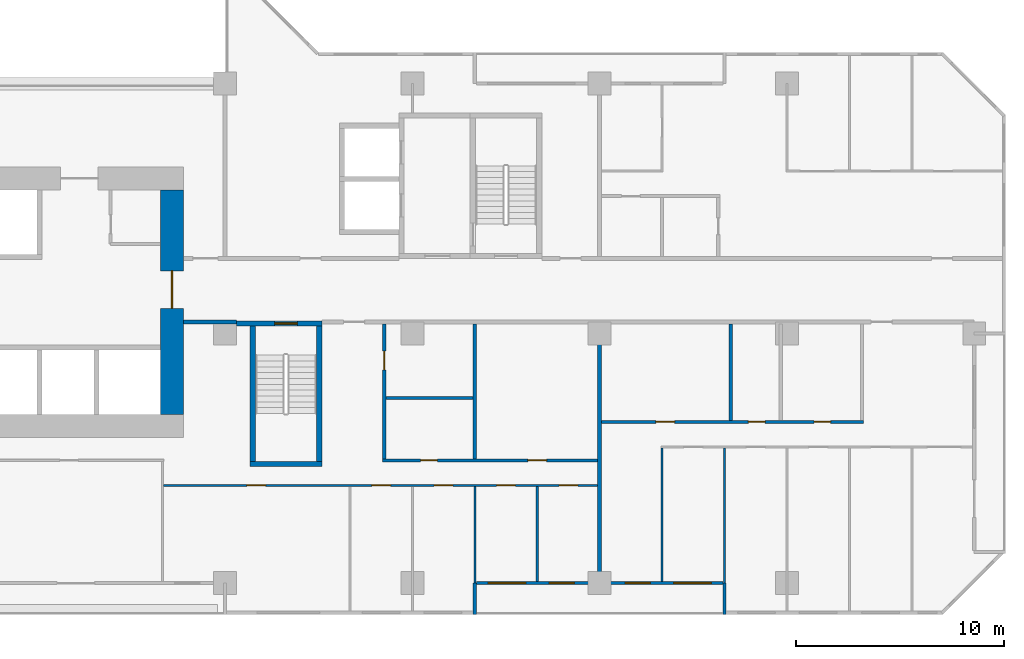
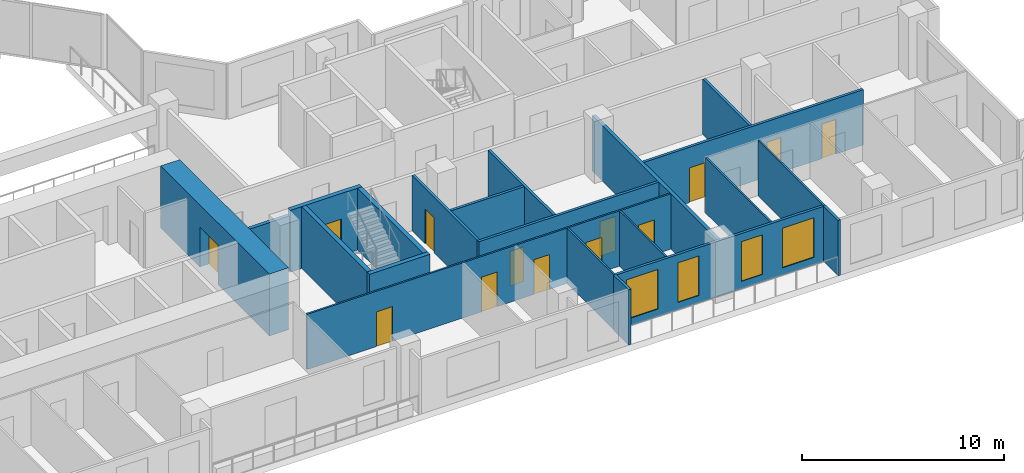
# One storey, part 6 of 15: 21 walls, 13 doors, 4 windows, 17 openings.
"""IFC4 building model written with IfcOpenShell, lengths in metres."""

from ifc_helpers import new_model, si_unit, direction, frame, frame_2d, origin, place, context, subcontext, project, spatial, rectangle, extrude, material, layer, layer_set, type_object, element, fill, save


model = new_model("IFC4")

# Units and contexts
model_context = context("Model", 3, precision=1e-05, world=origin(), true_north=direction((0.0, 1.0)))
body_context = subcontext(model_context, "Body", "Model", "MODEL_VIEW")
ifc_project = project(units=[si_unit("LENGTHUNIT", "METRE"), si_unit("AREAUNIT", "SQUARE_METRE"), si_unit("VOLUMEUNIT", "CUBIC_METRE"), si_unit("PLANEANGLEUNIT", "RADIAN"), si_unit("MASSUNIT", "GRAM", prefix="KILO")], contexts=[model_context])

# Site, building, storey
site_placement = place(None, origin())
site = spatial("IfcSite", under=ifc_project, at=site_placement, CompositionType="ELEMENT")
building_placement = place(site_placement, origin())
building = spatial("IfcBuilding", under=site, at=building_placement, Name="Chenar Terraces", CompositionType="ELEMENT")
storey_placement = place(building_placement, frame((0.0, 0.0, 67.64990234375)))
storey = spatial("IfcBuildingStorey", under=building, at=storey_placement, Name="L14", CompositionType="ELEMENT", Elevation=67.64990234375)

# Wall, opening, door
ifc_material_1 = material(Name="Concrete C70/85", Category="concrete")
ifc_layer_1 = layer(ifc_material_1, 1.10009765625)
ifc_layer_set_1 = layer_set([ifc_layer_1], Name="Concrete C70/85")
wall_type_1 = type_object("IfcWallType", Name="Core wall 1100 Concrete C70/85", PredefinedType="SHEAR", material=ifc_layer_set_1)
wall_1_placement = place(storey_placement, frame((33.449951171875, 8.10009765625, 0.0), z_axis=(0.0, 0.0, 1.0), x_axis=(0.0, 1.0, 0.0)))
wall_1 = element("IfcWall", 1, at=wall_1_placement, inside=storey, type_object=wall_type_1, Name="Core wall E L14", PredefinedType="SHEAR", context=body_context, shape_type="SweptSolid", body=[
    extrude(rectangle(XDim=10.7998046875, YDim=1.10009765625, at=frame_2d((5.39990234375, 0.0))), origin(), (0.0, 0.0, 1.0), 3.75),
])
opening_1_placement = place(wall_1_placement, frame((5.10009765625, 0.0, 0.0)))
opening_1 = element("IfcOpeningElement", 2, at=opening_1_placement, cuts=wall_1, Name="Opening DL14-C1", PredefinedType="OPENING", context=body_context, shape_type="SweptSolid", body=[
    extrude(rectangle(XDim=1.800048828125, YDim=2.39990234375, at=frame_2d((0.89990234375, 1.199951171875))), frame((0.0, 0.56005859375, 0.0), z_axis=(0.0, -1.0, 0.0), x_axis=(1.0, 0.0, 0.0)), (0.0, 0.0, 1.0), 1.1201171875),
])
ifc_material_2 = material(Name="Steel-framed fire-resisting door leaf", Category="steel")
door_type_1 = type_object("IfcDoorType", Name="Core entrance double fire door FD60 1800 x 2400", OperationType="DOUBLE_DOOR_SINGLE_SWING", PredefinedType="DOOR", material=ifc_material_2)
door_1_placement = place(opening_1_placement, origin())
door_1 = element("IfcDoor", 3, at=door_1_placement, inside=storey, type_object=door_type_1, Name="Core door DL14-C1", OperationType="DOUBLE_DOOR_SINGLE_SWING", OverallHeight=2.39990234375, OverallWidth=1.800048828125, PredefinedType="DOOR", context=body_context, shape_type="SweptSolid", body=[
    extrude(rectangle(XDim=1.800048828125, YDim=2.39990234375, at=frame_2d((0.89990234375, 1.199951171875))), frame((0.0, 0.02490234375, 0.0), z_axis=(0.0, -1.0, 0.0), x_axis=(1.0, 0.0, 0.0)), (0.0, 0.0, 1.0), 0.050048828125),
])
fill(opening_1, door_1)

# Wall
ifc_material_3 = material(Name="Concrete C70/85", Category="concrete")
ifc_layer_2 = layer(ifc_material_3, 0.25)
ifc_layer_set_2 = layer_set([ifc_layer_2], Name="Concrete C70/85")
wall_type_2 = type_object("IfcWallType", Name="Core wall 250 Concrete C70/85", PredefinedType="SHEAR", material=ifc_layer_set_2)
wall_2_placement = place(storey_placement, frame((37.199951171875, 5.72509765625, 0.0), z_axis=(0.0, 0.0, 1.0), x_axis=(1.0, 0.0, 0.0)))
element("IfcWall", 4, at=wall_2_placement, inside=storey, type_object=wall_type_2, Name="Core wall ST2_S L14", PredefinedType="SHEAR", context=body_context, shape_type="SweptSolid", body=[
    extrude(rectangle(XDim=3.449951171875, YDim=0.25, at=frame_2d((1.72509765625, 0.0))), origin(), (0.0, 0.0, 1.0), 3.75),
])

# Wall, opening, door
wall_3_placement = place(storey_placement, frame((36.550048828125, 12.47509765625, 0.0), z_axis=(0.0, 0.0, 1.0), x_axis=(1.0, 0.0, 0.0)))
wall_3 = element("IfcWall", 5, at=wall_3_placement, inside=storey, type_object=wall_type_2, Name="Core wall ST2_N L14", PredefinedType="SHEAR", context=body_context, shape_type="SweptSolid", body=[
    extrude(rectangle(XDim=4.099853515625, YDim=0.25, at=frame_2d((2.0498046875, 0.0))), origin(), (0.0, 0.0, 1.0), 3.75),
])
opening_2_placement = place(wall_3_placement, frame((1.824951171875, 0.0, 0.0)))
opening_2 = element("IfcOpeningElement", 6, at=opening_2_placement, cuts=wall_3, Name="Opening DL14-C7", PredefinedType="OPENING", context=body_context, shape_type="SweptSolid", body=[
    extrude(rectangle(XDim=1.10009765625, YDim=2.199951171875, at=frame_2d((0.550048828125, 1.10009765625))), frame((0.0, 0.135009765625, 0.0), z_axis=(0.0, -1.0, 0.0), x_axis=(1.0, 0.0, 0.0)), (0.0, 0.0, 1.0), 0.27001953125),
])
ifc_material_4 = material(Name="Steel-framed fire-resisting door leaf", Category="steel")
door_type_2 = type_object("IfcDoorType", Name="Stair fire door FD60 1100 x 2200", OperationType="SINGLE_SWING_LEFT", PredefinedType="DOOR", material=ifc_material_4)
door_2_placement = place(opening_2_placement, frame((1.10009765625, 0.0, 0.0), z_axis=(0.0, 0.0, 1.0), x_axis=(-1.0, 0.0, 0.0)))
door_2 = element("IfcDoor", 7, at=door_2_placement, inside=storey, type_object=door_type_2, Name="Stair door DL14-C7", OperationType="SINGLE_SWING_LEFT", OverallHeight=2.199951171875, OverallWidth=1.10009765625, PredefinedType="DOOR", context=body_context, shape_type="SweptSolid", body=[
    extrude(rectangle(XDim=1.10009765625, YDim=2.199951171875, at=frame_2d((0.550048828125, 1.10009765625))), frame((0.0, 0.02490234375, 0.0), z_axis=(0.0, -1.0, 0.0), x_axis=(1.0, 0.0, 0.0)), (0.0, 0.0, 1.0), 0.050048828125),
])
fill(opening_2, door_2)

# Walls
for number, where, z_axis, x_axis, name in (
    (8, (37.324951171875, 5.85009765625, 0.0), (0.0, 0.0, 1.0), (0.0, 1.0, 0.0), "Core wall ST2_W L14"),
    (9, (40.52490234375, 5.85009765625, 0.0), (0.0, 0.0, 1.0), (0.0, 1.0, 0.0), "Core wall ST2_E L14"),
):
    element("IfcWall", number, at=place(storey_placement, frame(where, z_axis=z_axis, x_axis=x_axis)), inside=storey, type_object=wall_type_2, Name=name, PredefinedType="SHEAR", context=body_context, shape_type="SweptSolid", body=[
        extrude(rectangle(XDim=6.5, YDim=0.25, at=frame_2d((3.25, 0.0))), origin(), (0.0, 0.0, 1.0), 3.75),
    ])
ifc_material_5 = material(Name="Gypsum board on steel studs with fire boards", Category="steel")
ifc_layer_3 = layer(ifc_material_5, 0.199951171875)
ifc_layer_set_3 = layer_set([ifc_layer_3], Name="Gypsum board on steel studs with fire boards")
wall_type_3 = type_object("IfcWallType", Name="Corridor wall 200", PredefinedType="PARTITIONING", material=ifc_layer_set_3)
wall_4_placement = place(storey_placement, frame((34.0, 12.550048828125, 0.0), z_axis=(0.0, 0.0, 1.0), x_axis=(1.0, 0.0, 0.0)))
element("IfcWall", 10, at=wall_4_placement, inside=storey, type_object=wall_type_3, Name="Partition L14-057", PredefinedType="PARTITIONING", context=body_context, shape_type="SweptSolid", body=[
    extrude(rectangle(XDim=2.551025390625, YDim=0.199951171875, at=frame_2d((1.275390625, 0.0))), origin(), (0.0, 0.0, 1.0), 3.35009765625),
])

# Wall, openings, windows
ifc_material_6 = material(Name="Aluminium framed glazing", Category="aluminium")
ifc_layer_4 = layer(ifc_material_6, 0.14990234375)
ifc_layer_set_4 = layer_set([ifc_layer_4], Name="Aluminium framed glazing")
wall_type_4 = type_object("IfcWallType", Name="Glazed loggia back wall 150", PredefinedType="SOLIDWALL", material=ifc_layer_set_4)
wall_5_placement = place(storey_placement, frame((48.074951171875, 0.0, 0.0), z_axis=(0.0, 0.0, 1.0), x_axis=(1.0, 0.0, 0.0)))
wall_5 = element("IfcWall", 11, at=wall_5_placement, inside=storey, type_object=wall_type_4, Name="Glazed loggia back wall", PredefinedType="SOLIDWALL", context=body_context, shape_type="SweptSolid", body=[
    extrude(rectangle(XDim=11.85009765625, YDim=0.14990234375, at=frame_2d((5.925048828125, 0.0))), origin(), (0.0, 0.0, 1.0), 3.35009765625),
])
opening_3_placement = place(wall_5_placement, frame((0.5625, 0.0, 0.449951171875)))
opening_3 = element("IfcOpeningElement", 12, at=opening_3_placement, cuts=wall_5, Name="Opening W180x240", PredefinedType="OPENING", context=body_context, shape_type="SweptSolid", body=[
    extrude(rectangle(XDim=1.800048828125, YDim=2.39990234375, at=frame_2d((0.89990234375, 1.199951171875))), frame((0.0, 0.0849609375, 0.0), z_axis=(0.0, -1.0, 0.0), x_axis=(1.0, 0.0, 0.0)), (0.0, 0.0, 1.0), 0.169921875),
])
opening_4_placement = place(wall_5_placement, frame((3.5, 0.0, 0.449951171875)))
opening_4 = element("IfcOpeningElement", 13, at=opening_4_placement, cuts=wall_5, Name="Opening W120x240", PredefinedType="OPENING", context=body_context, shape_type="SweptSolid", body=[
    extrude(rectangle(XDim=1.199951171875, YDim=2.39990234375, at=frame_2d((0.60009765625, 1.199951171875))), frame((0.0, 0.0849609375, 0.0), z_axis=(0.0, -1.0, 0.0), x_axis=(1.0, 0.0, 0.0)), (0.0, 0.0, 1.0), 0.169921875),
])
opening_5_placement = place(wall_5_placement, frame((7.14990234375, 0.0, 0.449951171875)))
opening_5 = element("IfcOpeningElement", 14, at=opening_5_placement, cuts=wall_5, Name="Opening W120x240", PredefinedType="OPENING", context=body_context, shape_type="SweptSolid", body=[
    extrude(rectangle(XDim=1.199951171875, YDim=2.39990234375, at=frame_2d((0.60009765625, 1.199951171875))), frame((0.0, 0.0849609375, 0.0), z_axis=(0.0, -1.0, 0.0), x_axis=(1.0, 0.0, 0.0)), (0.0, 0.0, 1.0), 0.169921875),
])
opening_6_placement = place(wall_5_placement, frame((9.487548828125, 0.0, 0.449951171875)))
opening_6 = element("IfcOpeningElement", 15, at=opening_6_placement, cuts=wall_5, Name="Opening W180x240", PredefinedType="OPENING", context=body_context, shape_type="SweptSolid", body=[
    extrude(rectangle(XDim=1.800048828125, YDim=2.39990234375, at=frame_2d((0.89990234375, 1.199951171875))), frame((0.0, 0.0849609375, 0.0), z_axis=(0.0, -1.0, 0.0), x_axis=(1.0, 0.0, 0.0)), (0.0, 0.0, 1.0), 0.169921875),
])
ifc_material_7 = material(Name="Low emissivity double glazing, aluminium frame", Category="aluminium")
window_type_1 = type_object("IfcWindowType", Name="Fixed light 1200 x 2400", PartitioningType="SINGLE_PANEL", PredefinedType="WINDOW", material=ifc_material_7)
window_1_placement = place(opening_4_placement, origin())
window_1 = element("IfcWindow", 16, at=window_1_placement, inside=storey, type_object=window_type_1, Name="Window", OverallHeight=2.39990234375, OverallWidth=1.199951171875, PartitioningType="SINGLE_PANEL", PredefinedType="WINDOW", context=body_context, shape_type="SweptSolid", body=[
    extrude(rectangle(XDim=1.199951171875, YDim=2.39990234375, at=frame_2d((0.60009765625, 1.199951171875))), frame((0.0, 0.030029296875, 0.0), z_axis=(0.0, -1.0, 0.0), x_axis=(1.0, 0.0, 0.0)), (0.0, 0.0, 1.0), 0.06005859375),
])
fill(opening_4, window_1)
window_2_placement = place(opening_5_placement, origin())
window_2 = element("IfcWindow", 17, at=window_2_placement, inside=storey, type_object=window_type_1, Name="Window", OverallHeight=2.39990234375, OverallWidth=1.199951171875, PartitioningType="SINGLE_PANEL", PredefinedType="WINDOW", context=body_context, shape_type="SweptSolid", body=[
    extrude(rectangle(XDim=1.199951171875, YDim=2.39990234375, at=frame_2d((0.60009765625, 1.199951171875))), frame((0.0, 0.030029296875, 0.0), z_axis=(0.0, -1.0, 0.0), x_axis=(1.0, 0.0, 0.0)), (0.0, 0.0, 1.0), 0.06005859375),
])
fill(opening_5, window_2)
ifc_material_8 = material(Name="Low emissivity double glazing, aluminium frame", Category="aluminium")
window_type_2 = type_object("IfcWindowType", Name="Fixed light 1800 x 2400", PartitioningType="SINGLE_PANEL", PredefinedType="WINDOW", material=ifc_material_8)
window_3_placement = place(opening_3_placement, origin())
window_3 = element("IfcWindow", 18, at=window_3_placement, inside=storey, type_object=window_type_2, Name="Window", OverallHeight=2.39990234375, OverallWidth=1.800048828125, PartitioningType="SINGLE_PANEL", PredefinedType="WINDOW", context=body_context, shape_type="SweptSolid", body=[
    extrude(rectangle(XDim=1.800048828125, YDim=2.39990234375, at=frame_2d((0.89990234375, 1.199951171875))), frame((0.0, 0.030029296875, 0.0), z_axis=(0.0, -1.0, 0.0), x_axis=(1.0, 0.0, 0.0)), (0.0, 0.0, 1.0), 0.06005859375),
])
fill(opening_3, window_3)
window_4_placement = place(opening_6_placement, origin())
window_4 = element("IfcWindow", 19, at=window_4_placement, inside=storey, type_object=window_type_2, Name="Window", OverallHeight=2.39990234375, OverallWidth=1.800048828125, PartitioningType="SINGLE_PANEL", PredefinedType="WINDOW", context=body_context, shape_type="SweptSolid", body=[
    extrude(rectangle(XDim=1.800048828125, YDim=2.39990234375, at=frame_2d((0.89990234375, 1.199951171875))), frame((0.0, 0.030029296875, 0.0), z_axis=(0.0, -1.0, 0.0), x_axis=(1.0, 0.0, 0.0)), (0.0, 0.0, 1.0), 0.06005859375),
])
fill(opening_6, window_4)

# Wall, openings, doors
ifc_material_9 = material(Name="Gypsum board on steel studs", Category="steel")
ifc_layer_5 = layer(ifc_material_9, 0.10009765625)
ifc_layer_set_5 = layer_set([ifc_layer_5], Name="Gypsum board on steel studs")
wall_type_5 = type_object("IfcWallType", Name="Gypsum partition 100", PredefinedType="PARTITIONING", material=ifc_layer_set_5)
wall_6_placement = place(storey_placement, frame((33.050048828125, 4.699951171875, 0.0), z_axis=(0.0, 0.0, 1.0), x_axis=(1.0, 0.0, 0.0)))
wall_6 = element("IfcWall", 20, at=wall_6_placement, inside=storey, type_object=wall_type_5, Name="Partition L14-056", PredefinedType="PARTITIONING", context=body_context, shape_type="SweptSolid", body=[
    extrude(rectangle(XDim=20.849853515625, YDim=0.10009765625, at=frame_2d((10.4248046875, 0.0))), origin(), (0.0, 0.0, 1.0), 3.35009765625),
])
opening_7_placement = place(wall_6_placement, frame((10.0, 0.0, 0.0)))
opening_7 = element("IfcOpeningElement", 21, at=opening_7_placement, cuts=wall_6, Name="Opening DL14-53", PredefinedType="OPENING", context=body_context, shape_type="SweptSolid", body=[
    extrude(rectangle(XDim=0.89990234375, YDim=2.10009765625, at=frame_2d((0.449951171875, 1.050048828125))), frame((0.0, 0.06005859375, 0.0), z_axis=(0.0, -1.0, 0.0), x_axis=(1.0, 0.0, 0.0)), (0.0, 0.0, 1.0), 0.1201171875),
])
opening_8_placement = place(wall_6_placement, frame((13.0, 0.0, 0.0)))
opening_8 = element("IfcOpeningElement", 22, at=opening_8_placement, cuts=wall_6, Name="Opening DL14-54", PredefinedType="OPENING", context=body_context, shape_type="SweptSolid", body=[
    extrude(rectangle(XDim=0.89990234375, YDim=2.10009765625, at=frame_2d((0.449951171875, 1.050048828125))), frame((0.0, 0.06005859375, 0.0), z_axis=(0.0, -1.0, 0.0), x_axis=(1.0, 0.0, 0.0)), (0.0, 0.0, 1.0), 0.1201171875),
])
opening_9_placement = place(wall_6_placement, frame((16.0, 0.0, 0.0)))
opening_9 = element("IfcOpeningElement", 23, at=opening_9_placement, cuts=wall_6, Name="Opening DL14-55", PredefinedType="OPENING", context=body_context, shape_type="SweptSolid", body=[
    extrude(rectangle(XDim=0.89990234375, YDim=2.10009765625, at=frame_2d((0.449951171875, 1.050048828125))), frame((0.0, 0.06005859375, 0.0), z_axis=(0.0, -1.0, 0.0), x_axis=(1.0, 0.0, 0.0)), (0.0, 0.0, 1.0), 0.1201171875),
])
opening_10_placement = place(wall_6_placement, frame((19.0, 0.0, 0.0)))
opening_10 = element("IfcOpeningElement", 24, at=opening_10_placement, cuts=wall_6, Name="Opening DL14-56", PredefinedType="OPENING", context=body_context, shape_type="SweptSolid", body=[
    extrude(rectangle(XDim=0.89990234375, YDim=2.10009765625, at=frame_2d((0.449951171875, 1.050048828125))), frame((0.0, 0.06005859375, 0.0), z_axis=(0.0, -1.0, 0.0), x_axis=(1.0, 0.0, 0.0)), (0.0, 0.0, 1.0), 0.1201171875),
])
opening_11_placement = place(wall_6_placement, frame((4.0, 0.0, 0.0)))
opening_11 = element("IfcOpeningElement", 25, at=opening_11_placement, cuts=wall_6, Name="Opening DL14-63", PredefinedType="OPENING", context=body_context, shape_type="SweptSolid", body=[
    extrude(rectangle(XDim=0.89990234375, YDim=2.10009765625, at=frame_2d((0.449951171875, 1.050048828125))), frame((0.0, 0.06005859375, 0.0), z_axis=(0.0, -1.0, 0.0), x_axis=(1.0, 0.0, 0.0)), (0.0, 0.0, 1.0), 0.1201171875),
])
ifc_material_10 = material(Name="Veneered timber door leaf", Category="wood")
door_type_3 = type_object("IfcDoorType", Name="Door 900 x 2100", OperationType="SINGLE_SWING_LEFT", PredefinedType="DOOR", material=ifc_material_10)
door_3_placement = place(opening_7_placement, frame((0.89990234375, 0.0, 0.0), z_axis=(0.0, 0.0, 1.0), x_axis=(-1.0, 0.0, 0.0)))
door_3 = element("IfcDoor", 26, at=door_3_placement, inside=storey, type_object=door_type_3, Name="Door DL14-53", OperationType="SINGLE_SWING_LEFT", OverallHeight=2.10009765625, OverallWidth=0.89990234375, PredefinedType="DOOR", context=body_context, shape_type="SweptSolid", body=[
    extrude(rectangle(XDim=0.89990234375, YDim=2.10009765625, at=frame_2d((0.449951171875, 1.050048828125))), frame((0.0, 0.02490234375, 0.0), z_axis=(0.0, -1.0, 0.0), x_axis=(1.0, 0.0, 0.0)), (0.0, 0.0, 1.0), 0.050048828125),
])
fill(opening_7, door_3)
door_4_placement = place(opening_8_placement, frame((0.89990234375, 0.0, 0.0), z_axis=(0.0, 0.0, 1.0), x_axis=(-1.0, 0.0, 0.0)))
door_4 = element("IfcDoor", 27, at=door_4_placement, inside=storey, type_object=door_type_3, Name="Door DL14-54", OperationType="SINGLE_SWING_LEFT", OverallHeight=2.10009765625, OverallWidth=0.89990234375, PredefinedType="DOOR", context=body_context, shape_type="SweptSolid", body=[
    extrude(rectangle(XDim=0.89990234375, YDim=2.10009765625, at=frame_2d((0.449951171875, 1.050048828125))), frame((0.0, 0.02490234375, 0.0), z_axis=(0.0, -1.0, 0.0), x_axis=(1.0, 0.0, 0.0)), (0.0, 0.0, 1.0), 0.050048828125),
])
fill(opening_8, door_4)
door_5_placement = place(opening_9_placement, frame((0.89990234375, 0.0, 0.0), z_axis=(0.0, 0.0, 1.0), x_axis=(-1.0, 0.0, 0.0)))
door_5 = element("IfcDoor", 28, at=door_5_placement, inside=storey, type_object=door_type_3, Name="Door DL14-55", OperationType="SINGLE_SWING_LEFT", OverallHeight=2.10009765625, OverallWidth=0.89990234375, PredefinedType="DOOR", context=body_context, shape_type="SweptSolid", body=[
    extrude(rectangle(XDim=0.89990234375, YDim=2.10009765625, at=frame_2d((0.449951171875, 1.050048828125))), frame((0.0, 0.02490234375, 0.0), z_axis=(0.0, -1.0, 0.0), x_axis=(1.0, 0.0, 0.0)), (0.0, 0.0, 1.0), 0.050048828125),
])
fill(opening_9, door_5)
door_6_placement = place(opening_10_placement, frame((0.89990234375, 0.0, 0.0), z_axis=(0.0, 0.0, 1.0), x_axis=(-1.0, 0.0, 0.0)))
door_6 = element("IfcDoor", 29, at=door_6_placement, inside=storey, type_object=door_type_3, Name="Door DL14-56", OperationType="SINGLE_SWING_LEFT", OverallHeight=2.10009765625, OverallWidth=0.89990234375, PredefinedType="DOOR", context=body_context, shape_type="SweptSolid", body=[
    extrude(rectangle(XDim=0.89990234375, YDim=2.10009765625, at=frame_2d((0.449951171875, 1.050048828125))), frame((0.0, 0.02490234375, 0.0), z_axis=(0.0, -1.0, 0.0), x_axis=(1.0, 0.0, 0.0)), (0.0, 0.0, 1.0), 0.050048828125),
])
fill(opening_10, door_6)
door_7_placement = place(opening_11_placement, frame((0.89990234375, 0.0, 0.0), z_axis=(0.0, 0.0, 1.0), x_axis=(-1.0, 0.0, 0.0)))
door_7 = element("IfcDoor", 30, at=door_7_placement, inside=storey, type_object=door_type_3, Name="Door DL14-63", OperationType="SINGLE_SWING_LEFT", OverallHeight=2.10009765625, OverallWidth=0.89990234375, PredefinedType="DOOR", context=body_context, shape_type="SweptSolid", body=[
    extrude(rectangle(XDim=0.89990234375, YDim=2.10009765625, at=frame_2d((0.449951171875, 1.050048828125))), frame((0.0, 0.02490234375, 0.0), z_axis=(0.0, -1.0, 0.0), x_axis=(1.0, 0.0, 0.0)), (0.0, 0.0, 1.0), 0.050048828125),
])
fill(opening_11, door_7)

# Walls
wall_7_placement = place(storey_placement, frame((48.0, 0.0, 0.0), z_axis=(0.0, 0.0, 1.0), x_axis=(0.0, 1.0, 0.0)))
element("IfcWall", 31, at=wall_7_placement, inside=storey, type_object=wall_type_5, Name="Partition L14-067", PredefinedType="PARTITIONING", context=body_context, shape_type="SweptSolid", body=[
    extrude(rectangle(XDim=4.64990234375, YDim=0.10009765625, at=frame_2d((2.324951171875, 0.0))), origin(), (0.0, 0.0, 1.0), 3.35009765625),
])
wall_8_placement = place(storey_placement, frame((51.0, 0.073974609375, 0.0), z_axis=(0.0, 0.0, 1.0), x_axis=(0.0, 1.0, 0.0)))
element("IfcWall", 32, at=wall_8_placement, inside=storey, type_object=wall_type_5, Name="Partition L14-069", PredefinedType="PARTITIONING", context=body_context, shape_type="SweptSolid", body=[
    extrude(rectangle(XDim=4.575927734375, YDim=0.10009765625, at=frame_2d((2.2880859375, 0.0))), origin(), (0.0, 0.0, 1.0), 3.35009765625),
])
wall_9_placement = place(storey_placement, frame((57.0, 0.073974609375, 0.0), z_axis=(0.0, 0.0, 1.0), x_axis=(0.0, 1.0, 0.0)))
element("IfcWall", 33, at=wall_9_placement, inside=storey, type_object=wall_type_5, Name="Partition L14-077", PredefinedType="PARTITIONING", context=body_context, shape_type="SweptSolid", body=[
    extrude(rectangle(XDim=6.426025390625, YDim=0.10009765625, at=frame_2d((3.212890625, 0.0))), origin(), (0.0, 0.0, 1.0), 3.35009765625),
])
wall_10_placement = place(storey_placement, frame((60.0, 0.0, 0.0), z_axis=(0.0, 0.0, 1.0), x_axis=(0.0, 1.0, 0.0)))
element("IfcWall", 34, at=wall_10_placement, inside=storey, type_object=wall_type_5, Name="Partition L14-081", PredefinedType="PARTITIONING", context=body_context, shape_type="SweptSolid", body=[
    extrude(rectangle(XDim=6.5, YDim=0.10009765625, at=frame_2d((3.25, 0.0))), origin(), (0.0, 0.0, 1.0), 3.35009765625),
])
ifc_material_11 = material(Name="Terracotta cladding on insulated backing", Category="masonry")
ifc_layer_6 = layer(ifc_material_11, 0.14990234375)
ifc_layer_set_6 = layer_set([ifc_layer_6], Name="Terracotta cladding on insulated backing")
wall_type_6 = type_object("IfcWallType", Name="Loggia return wall 150", PredefinedType="SOLIDWALL", material=ifc_layer_set_6)
for number, where, z_axis, x_axis, name in (
    (35, (48.0, -1.5, 0.0), (0.0, 0.0, 1.0), (0.0, 1.0, 0.0), "Loggia return wall"),
    (36, (60.0, -1.5, 0.0), (0.0, 0.0, 1.0), (0.0, 1.0, 0.0), "Loggia return wall"),
):
    element("IfcWall", number, at=place(storey_placement, frame(where, z_axis=z_axis, x_axis=x_axis)), inside=storey, type_object=wall_type_6, Name=name, PredefinedType="SOLIDWALL", context=body_context, shape_type="SweptSolid", body=[
        extrude(rectangle(XDim=1.5, YDim=0.14990234375, at=frame_2d((0.75, 0.0))), origin(), (0.0, 0.0, 1.0), 3.35009765625),
    ])
ifc_material_12 = material(Name="Twin gypsum board on steel studs with mineral wool", Category="steel")
ifc_layer_7 = layer(ifc_material_12, 0.199951171875)
ifc_layer_set_7 = layer_set([ifc_layer_7], Name="Twin gypsum board on steel studs with mineral wool")
wall_type_7 = type_object("IfcWallType", Name="Unit demising wall 200", PredefinedType="PARTITIONING", material=ifc_layer_set_7)
wall_11_placement = place(storey_placement, frame((54.0, 0.073974609375, 0.0), z_axis=(0.0, 0.0, 1.0), x_axis=(0.0, 1.0, 0.0)))
element("IfcWall", 37, at=wall_11_placement, inside=storey, type_object=wall_type_7, Name="Partition L14-071", PredefinedType="PARTITIONING", context=body_context, shape_type="SweptSolid", body=[
    extrude(rectangle(XDim=12.3759765625, YDim=0.199951171875, at=frame_2d((6.18798828125, 0.0))), origin(), (0.0, 0.0, 1.0), 3.35009765625),
])

# Wall, openings, doors
ifc_material_13 = material(Name="Moisture-resistant gypsum board on steel studs", Category="steel")
ifc_layer_8 = layer(ifc_material_13, 0.14990234375)
ifc_layer_set_8 = layer_set([ifc_layer_8], Name="Moisture-resistant gypsum board on steel studs")
wall_type_8 = type_object("IfcWallType", Name="Wet-room partition 150", PredefinedType="PARTITIONING", material=ifc_layer_set_8)
wall_12_placement = place(storey_placement, frame((43.574951171875, 5.89990234375, 0.0), z_axis=(0.0, 0.0, 1.0), x_axis=(1.0, 0.0, 0.0)))
wall_12 = element("IfcWall", 38, at=wall_12_placement, inside=storey, type_object=wall_type_8, Name="Partition L14-062", PredefinedType="PARTITIONING", context=body_context, shape_type="SweptSolid", body=[
    extrude(rectangle(XDim=10.324951171875, YDim=0.14990234375, at=frame_2d((5.16259765625, 0.0))), origin(), (0.0, 0.0, 1.0), 3.35009765625),
])
opening_12_placement = place(wall_12_placement, frame((1.824951171875, 0.0, 0.0)))
opening_12 = element("IfcOpeningElement", 39, at=opening_12_placement, cuts=wall_12, Name="Opening DL14-48", PredefinedType="OPENING", context=body_context, shape_type="SweptSolid", body=[
    extrude(rectangle(XDim=0.800048828125, YDim=2.10009765625, at=frame_2d((0.39990234375, 1.050048828125))), frame((0.0, 0.0849609375, 0.0), z_axis=(0.0, -1.0, 0.0), x_axis=(1.0, 0.0, 0.0)), (0.0, 0.0, 1.0), 0.169921875),
])
opening_13_placement = place(wall_12_placement, frame((6.97509765625, 0.0, 0.0)))
opening_13 = element("IfcOpeningElement", 40, at=opening_13_placement, cuts=wall_12, Name="Opening DL14-59", PredefinedType="OPENING", context=body_context, shape_type="SweptSolid", body=[
    extrude(rectangle(XDim=0.89990234375, YDim=2.10009765625, at=frame_2d((0.449951171875, 1.050048828125))), frame((0.0, 0.0849609375, 0.0), z_axis=(0.0, -1.0, 0.0), x_axis=(1.0, 0.0, 0.0)), (0.0, 0.0, 1.0), 0.169921875),
])
ifc_material_14 = material(Name="Veneered timber door leaf", Category="wood")
door_type_4 = type_object("IfcDoorType", Name="Door 800 x 2100", OperationType="SINGLE_SWING_LEFT", PredefinedType="DOOR", material=ifc_material_14)
door_8_placement = place(opening_12_placement, origin())
door_8 = element("IfcDoor", 41, at=door_8_placement, inside=storey, type_object=door_type_4, Name="Door DL14-48", OperationType="SINGLE_SWING_RIGHT", OverallHeight=2.10009765625, OverallWidth=0.800048828125, PredefinedType="DOOR", context=body_context, shape_type="SweptSolid", body=[
    extrude(rectangle(XDim=0.800048828125, YDim=2.10009765625, at=frame_2d((0.39990234375, 1.050048828125))), frame((0.0, 0.02490234375, 0.0), z_axis=(0.0, -1.0, 0.0), x_axis=(1.0, 0.0, 0.0)), (0.0, 0.0, 1.0), 0.050048828125),
])
fill(opening_12, door_8)
door_9_placement = place(opening_13_placement, origin())
door_9 = element("IfcDoor", 42, at=door_9_placement, inside=storey, type_object=door_type_3, Name="Door DL14-59", OperationType="SINGLE_SWING_RIGHT", OverallHeight=2.10009765625, OverallWidth=0.89990234375, PredefinedType="DOOR", context=body_context, shape_type="SweptSolid", body=[
    extrude(rectangle(XDim=0.89990234375, YDim=2.10009765625, at=frame_2d((0.449951171875, 1.050048828125))), frame((0.0, 0.02490234375, 0.0), z_axis=(0.0, -1.0, 0.0), x_axis=(1.0, 0.0, 0.0)), (0.0, 0.0, 1.0), 0.050048828125),
])
fill(opening_13, door_9)

# Wall, opening, door
wall_13_placement = place(storey_placement, frame((43.64990234375, 5.97509765625, 0.0), z_axis=(0.0, 0.0, 1.0), x_axis=(0.0, 1.0, 0.0)))
wall_13 = element("IfcWall", 43, at=wall_13_placement, inside=storey, type_object=wall_type_8, Name="Partition L14-063", PredefinedType="PARTITIONING", context=body_context, shape_type="SweptSolid", body=[
    extrude(rectangle(XDim=6.474853515625, YDim=0.14990234375, at=frame_2d((3.2373046875, 0.0))), origin(), (0.0, 0.0, 1.0), 3.35009765625),
])
opening_14_placement = place(wall_13_placement, frame((4.27490234375, 0.0, 0.0)))
opening_14 = element("IfcOpeningElement", 44, at=opening_14_placement, cuts=wall_13, Name="Opening DL14-61", PredefinedType="OPENING", context=body_context, shape_type="SweptSolid", body=[
    extrude(rectangle(XDim=0.89990234375, YDim=2.10009765625, at=frame_2d((0.449951171875, 1.050048828125))), frame((0.0, 0.0849609375, 0.0), z_axis=(0.0, -1.0, 0.0), x_axis=(1.0, 0.0, 0.0)), (0.0, 0.0, 1.0), 0.169921875),
])
door_10_placement = place(opening_14_placement, frame((0.89990234375, 0.0, 0.0), z_axis=(0.0, 0.0, 1.0), x_axis=(-1.0, 0.0, 0.0)))
door_10 = element("IfcDoor", 45, at=door_10_placement, inside=storey, type_object=door_type_3, Name="Door DL14-61", OperationType="SINGLE_SWING_RIGHT", OverallHeight=2.10009765625, OverallWidth=0.89990234375, PredefinedType="DOOR", context=body_context, shape_type="SweptSolid", body=[
    extrude(rectangle(XDim=0.89990234375, YDim=2.10009765625, at=frame_2d((0.449951171875, 1.050048828125))), frame((0.0, 0.02490234375, 0.0), z_axis=(0.0, -1.0, 0.0), x_axis=(1.0, 0.0, 0.0)), (0.0, 0.0, 1.0), 0.050048828125),
])
fill(opening_14, door_10)

# Walls
wall_14_placement = place(storey_placement, frame((43.72509765625, 8.89990234375, 0.0), z_axis=(0.0, 0.0, 1.0), x_axis=(1.0, 0.0, 0.0)))
element("IfcWall", 46, at=wall_14_placement, inside=storey, type_object=wall_type_8, Name="Partition L14-064", PredefinedType="PARTITIONING", context=body_context, shape_type="SweptSolid", body=[
    extrude(rectangle(XDim=4.199951171875, YDim=0.14990234375, at=frame_2d((2.10009765625, 0.0))), origin(), (0.0, 0.0, 1.0), 3.35009765625),
])
wall_15_placement = place(storey_placement, frame((48.0, 5.97509765625, 0.0), z_axis=(0.0, 0.0, 1.0), x_axis=(0.0, 1.0, 0.0)))
element("IfcWall", 47, at=wall_15_placement, inside=storey, type_object=wall_type_8, Name="Partition L14-068", PredefinedType="PARTITIONING", context=body_context, shape_type="SweptSolid", body=[
    extrude(rectangle(XDim=6.474853515625, YDim=0.14990234375, at=frame_2d((3.2373046875, 0.0))), origin(), (0.0, 0.0, 1.0), 3.35009765625),
])

# Wall, openings, doors
wall_16_placement = place(storey_placement, frame((54.10009765625, 7.75, 0.0), z_axis=(0.0, 0.0, 1.0), x_axis=(1.0, 0.0, 0.0)))
wall_16 = element("IfcWall", 48, at=wall_16_placement, inside=storey, type_object=wall_type_8, Name="Partition L14-073", PredefinedType="PARTITIONING", context=body_context, shape_type="SweptSolid", body=[
    extrude(rectangle(XDim=12.574951171875, YDim=0.14990234375, at=frame_2d((6.28759765625, 0.0))), origin(), (0.0, 0.0, 1.0), 3.35009765625),
])
opening_15_placement = place(wall_16_placement, frame((10.199951171875, 0.0, 0.0)))
opening_15 = element("IfcOpeningElement", 49, at=opening_15_placement, cuts=wall_16, Name="Opening DL14-11", PredefinedType="OPENING", context=body_context, shape_type="SweptSolid", body=[
    extrude(rectangle(XDim=0.800048828125, YDim=2.10009765625, at=frame_2d((0.39990234375, 1.050048828125))), frame((0.0, 0.0849609375, 0.0), z_axis=(0.0, -1.0, 0.0), x_axis=(1.0, 0.0, 0.0)), (0.0, 0.0, 1.0), 0.169921875),
])
opening_16_placement = place(wall_16_placement, frame((2.60009765625, 0.0, 0.0)))
opening_16 = element("IfcOpeningElement", 50, at=opening_16_placement, cuts=wall_16, Name="Opening DL14-15", PredefinedType="OPENING", context=body_context, shape_type="SweptSolid", body=[
    extrude(rectangle(XDim=0.89990234375, YDim=2.10009765625, at=frame_2d((0.449951171875, 1.050048828125))), frame((0.0, 0.0849609375, 0.0), z_axis=(0.0, -1.0, 0.0), x_axis=(1.0, 0.0, 0.0)), (0.0, 0.0, 1.0), 0.169921875),
])
opening_17_placement = place(wall_16_placement, frame((7.050048828125, 0.0, 0.0)))
opening_17 = element("IfcOpeningElement", 51, at=opening_17_placement, cuts=wall_16, Name="Opening DL14-19", PredefinedType="OPENING", context=body_context, shape_type="SweptSolid", body=[
    extrude(rectangle(XDim=0.800048828125, YDim=2.10009765625, at=frame_2d((0.39990234375, 1.050048828125))), frame((0.0, 0.0849609375, 0.0), z_axis=(0.0, -1.0, 0.0), x_axis=(1.0, 0.0, 0.0)), (0.0, 0.0, 1.0), 0.169921875),
])
door_11_placement = place(opening_15_placement, origin())
door_11 = element("IfcDoor", 52, at=door_11_placement, inside=storey, type_object=door_type_4, Name="Door DL14-11", OperationType="SINGLE_SWING_RIGHT", OverallHeight=2.10009765625, OverallWidth=0.800048828125, PredefinedType="DOOR", context=body_context, shape_type="SweptSolid", body=[
    extrude(rectangle(XDim=0.800048828125, YDim=2.10009765625, at=frame_2d((0.39990234375, 1.050048828125))), frame((0.0, 0.02490234375, 0.0), z_axis=(0.0, -1.0, 0.0), x_axis=(1.0, 0.0, 0.0)), (0.0, 0.0, 1.0), 0.050048828125),
])
fill(opening_15, door_11)
door_12_placement = place(opening_17_placement, origin())
door_12 = element("IfcDoor", 53, at=door_12_placement, inside=storey, type_object=door_type_4, Name="Door DL14-19", OperationType="SINGLE_SWING_RIGHT", OverallHeight=2.10009765625, OverallWidth=0.800048828125, PredefinedType="DOOR", context=body_context, shape_type="SweptSolid", body=[
    extrude(rectangle(XDim=0.800048828125, YDim=2.10009765625, at=frame_2d((0.39990234375, 1.050048828125))), frame((0.0, 0.02490234375, 0.0), z_axis=(0.0, -1.0, 0.0), x_axis=(1.0, 0.0, 0.0)), (0.0, 0.0, 1.0), 0.050048828125),
])
fill(opening_17, door_12)
door_13_placement = place(opening_16_placement, origin())
door_13 = element("IfcDoor", 54, at=door_13_placement, inside=storey, type_object=door_type_3, Name="Door DL14-15", OperationType="SINGLE_SWING_RIGHT", OverallHeight=2.10009765625, OverallWidth=0.89990234375, PredefinedType="DOOR", context=body_context, shape_type="SweptSolid", body=[
    extrude(rectangle(XDim=0.89990234375, YDim=2.10009765625, at=frame_2d((0.449951171875, 1.050048828125))), frame((0.0, 0.02490234375, 0.0), z_axis=(0.0, -1.0, 0.0), x_axis=(1.0, 0.0, 0.0)), (0.0, 0.0, 1.0), 0.050048828125),
])
fill(opening_16, door_13)

# Wall
wall_17_placement = place(storey_placement, frame((60.300048828125, 7.824951171875, 0.0), z_axis=(0.0, 0.0, 1.0), x_axis=(0.0, 1.0, 0.0)))
element("IfcWall", 55, at=wall_17_placement, inside=storey, type_object=wall_type_8, Name="Partition L14-082", PredefinedType="PARTITIONING", context=body_context, shape_type="SweptSolid", body=[
    extrude(rectangle(XDim=4.625, YDim=0.14990234375, at=frame_2d((2.3125, 0.0))), origin(), (0.0, 0.0, 1.0), 3.35009765625),
])

save(model, "model.ifc")
